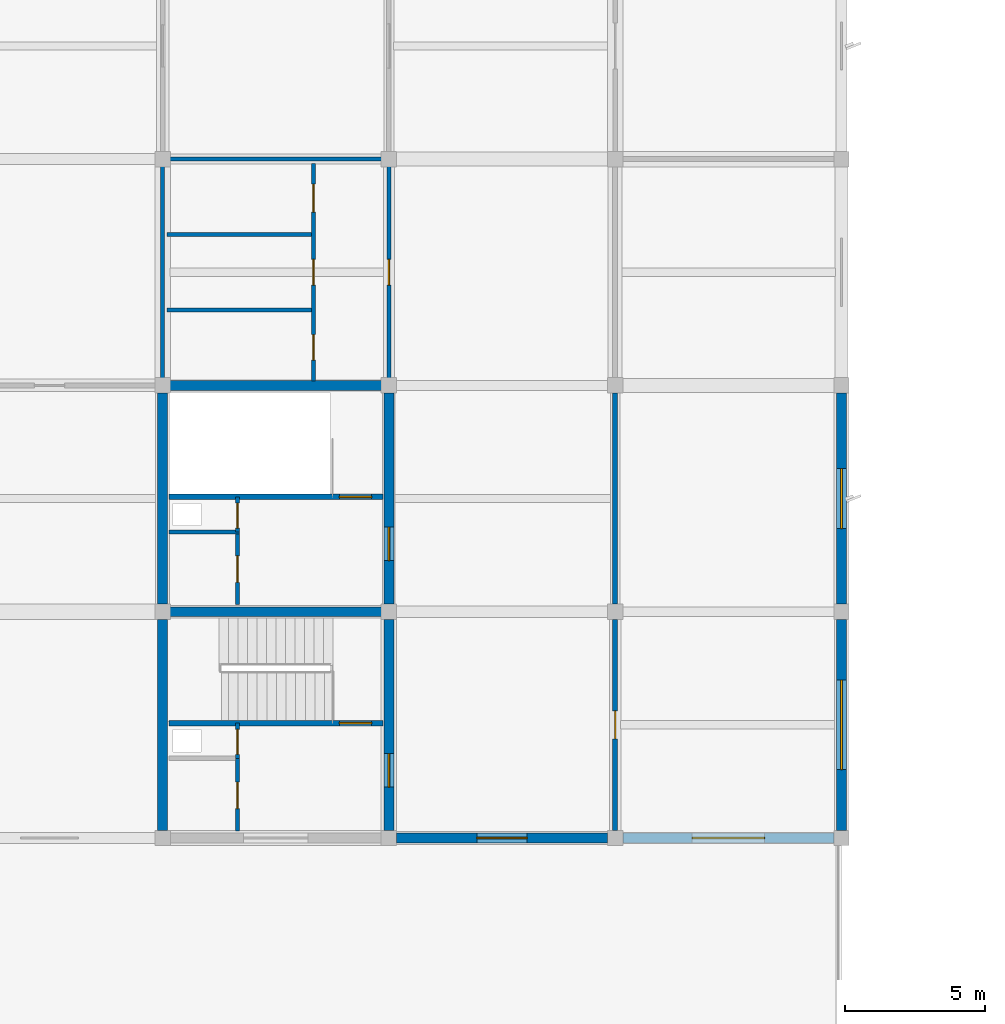
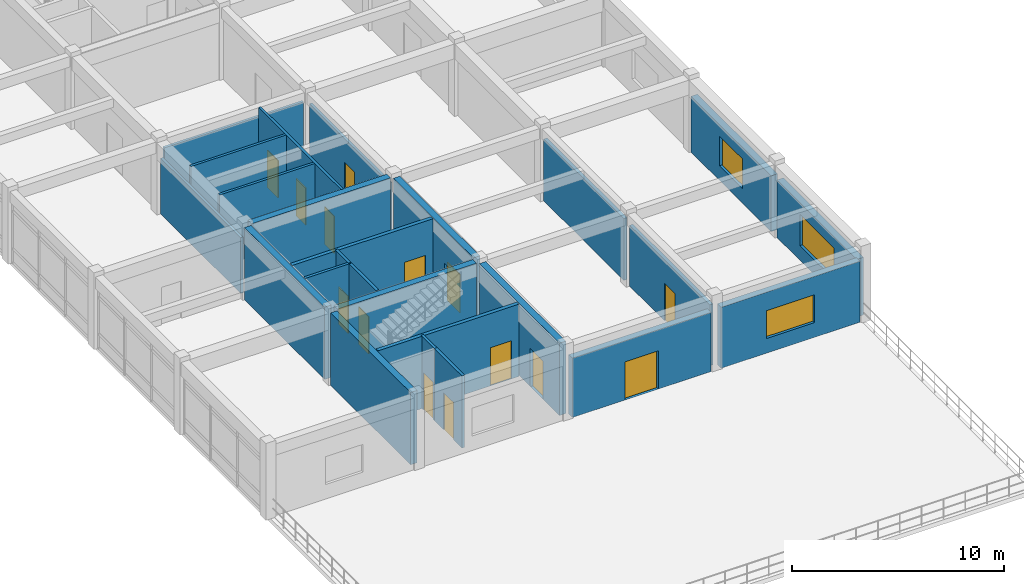
# One storey, part 27 of 33: 25 walls, 14 doors, 3 windows, 17 openings.
"""IFC4 building model written with IfcOpenShell, lengths in metres."""

from ifc_helpers import new_model, si_unit, direction, frame, frame_2d, origin, place, context, subcontext, project, spatial, rectangle, extrude, material, layer, layer_set, type_object, element, fill, save


model = new_model("IFC4")

# Units and contexts
model_context = context("Model", 3, precision=1e-05, world=origin(), true_north=direction((0.0, 1.0)))
body_context = subcontext(model_context, "Body", "Model", "MODEL_VIEW")
ifc_project = project(units=[si_unit("LENGTHUNIT", "METRE"), si_unit("AREAUNIT", "SQUARE_METRE"), si_unit("VOLUMEUNIT", "CUBIC_METRE"), si_unit("PLANEANGLEUNIT", "RADIAN"), si_unit("MASSUNIT", "GRAM", prefix="KILO")], contexts=[model_context])

# Site, building, storey
site_placement = place(None, origin())
site = spatial("IfcSite", under=ifc_project, at=site_placement, CompositionType="ELEMENT")
building_placement = place(site_placement, origin())
building = spatial("IfcBuilding", under=site, at=building_placement, Name="Vaudrelin Polytechnic", CompositionType="ELEMENT")
storey_placement = place(building_placement, frame((0.0, 0.0, 27.3701171875)))
storey = spatial("IfcBuildingStorey", under=building, at=storey_placement, Name="L06", CompositionType="ELEMENT", Elevation=27.3701171875)

# Wall, opening, window
ifc_material_1 = material(Name="Precast concrete 35 MPa with terracotta baguette screen", Category="masonry")
ifc_layer_1 = layer(ifc_material_1, 0.35009765625)
ifc_layer_set_1 = layer_set([ifc_layer_1], Name="Precast concrete 35 MPa with terracotta baguette screen")
wall_type_1 = type_object("IfcWallType", Name="WAL-EW-TERR350", PredefinedType="STANDARD", material=ifc_layer_set_1)
wall_1_placement = place(storey_placement, frame((170.10009765625, 32.673095703125, 0.0), z_axis=(0.0, 0.0, 1.0), x_axis=(0.0, 1.0, 0.0)))
wall_1 = element("IfcWall", 1, at=wall_1_placement, inside=storey, type_object=wall_type_1, Name="Exterior wall L06 E_V4_00", PredefinedType="STANDARD", context=body_context, shape_type="SweptSolid", body=[
    extrude(rectangle(XDim=7.553955078125, YDim=0.35009765625, at=frame_2d((3.77685546875, 0.0))), origin(), (0.0, 0.0, 1.0), 3.311767578125),
])
opening_1_placement = place(wall_1_placement, frame((2.177001953125, 0.0, 0.85009765625)))
opening_1 = element("IfcOpeningElement", 2, at=opening_1_placement, cuts=wall_1, Name="Opening W-L06-E-V4-01", PredefinedType="OPENING", context=body_context, shape_type="SweptSolid", body=[
    extrude(rectangle(XDim=3.199951171875, YDim=1.800048828125, at=frame_2d((1.60009765625, 0.89990234375))), frame((0.0, 0.18505859375, 0.0), z_axis=(0.0, -1.0, 0.0), x_axis=(1.0, 0.0, 0.0)), (0.0, 0.0, 1.0), 0.3701171875),
])
ifc_material_2 = material(Name="Thermally broken aluminium frame with triple low-e glazing", Category="aluminium")
window_type_1 = type_object("IfcWindowType", Name="WIN-WN-36", PartitioningType="SINGLE_PANEL", PredefinedType="WINDOW", material=ifc_material_2)
window_1_placement = place(opening_1_placement, origin())
window_1 = element("IfcWindow", 3, at=window_1_placement, inside=storey, type_object=window_type_1, Name="Facade window L06-E_V4_00", OverallHeight=1.800048828125, OverallWidth=3.199951171875, PartitioningType="SINGLE_PANEL", PredefinedType="WINDOW", context=body_context, shape_type="SweptSolid", body=[
    extrude(rectangle(XDim=3.199951171875, YDim=1.800048828125, at=frame_2d((1.60009765625, 0.89990234375))), frame((0.0, 0.030029296875, 0.0), z_axis=(0.0, -1.0, 0.0), x_axis=(1.0, 0.0, 0.0)), (0.0, 0.0, 1.0), 0.06005859375),
])
fill(opening_1, window_1)

wall_2_placement = place(storey_placement, frame((170.10009765625, 40.77294921875, 0.0), z_axis=(0.0, 0.0, 1.0), x_axis=(0.0, 1.0, 0.0)))
wall_2 = element("IfcWall", 4, at=wall_2_placement, inside=storey, type_object=wall_type_1, Name="Exterior wall L06 E_V4_01", PredefinedType="STANDARD", context=body_context, shape_type="SweptSolid", body=[
    extrude(rectangle(XDim=7.553955078125, YDim=0.35009765625, at=frame_2d((3.77685546875, 0.0))), origin(), (0.0, 0.0, 1.0), 3.2119140625),
])
opening_2_placement = place(wall_2_placement, frame((2.701904296875, 0.0, 0.85009765625)))
opening_2 = element("IfcOpeningElement", 5, at=opening_2_placement, cuts=wall_2, Name="Opening W-L06-E-V4-02", PredefinedType="OPENING", context=body_context, shape_type="SweptSolid", body=[
    extrude(rectangle(XDim=2.14990234375, YDim=1.699951171875, at=frame_2d((1.074951171875, 0.85009765625))), frame((0.0, 0.18505859375, 0.0), z_axis=(0.0, -1.0, 0.0), x_axis=(1.0, 0.0, 0.0)), (0.0, 0.0, 1.0), 0.3701171875),
])
window_type_2 = type_object("IfcWindowType", Name="WIN-WN-37", PartitioningType="SINGLE_PANEL", PredefinedType="WINDOW", material=ifc_material_2)
window_2_placement = place(opening_2_placement, origin())
window_2 = element("IfcWindow", 6, at=window_2_placement, inside=storey, type_object=window_type_2, Name="Facade window L06-E_V4_01", OverallHeight=1.699951171875, OverallWidth=2.14990234375, PartitioningType="SINGLE_PANEL", PredefinedType="WINDOW", context=body_context, shape_type="SweptSolid", body=[
    extrude(rectangle(XDim=2.14990234375, YDim=1.699951171875, at=frame_2d((1.074951171875, 0.85009765625))), frame((0.0, 0.030029296875, 0.0), z_axis=(0.0, -1.0, 0.0), x_axis=(1.0, 0.0, 0.0)), (0.0, 0.0, 1.0), 0.06005859375),
])
fill(opening_2, window_2)

# Wall, opening, door
wall_3_placement = place(storey_placement, frame((154.173095703125, 32.39990234375, 0.0), z_axis=(0.0, 0.0, 1.0), x_axis=(1.0, 0.0, 0.0)))
wall_3 = element("IfcWall", 7, at=wall_3_placement, inside=storey, type_object=wall_type_1, Name="Exterior wall L06 S_V4_02", PredefinedType="STANDARD", context=body_context, shape_type="SweptSolid", body=[
    extrude(rectangle(XDim=7.553955078125, YDim=0.35009765625, at=frame_2d((3.77685546875, 0.0))), origin(), (0.0, 0.0, 1.0), 3.411865234375),
])
opening_3_placement = place(wall_3_placement, frame((4.677001953125, 0.0, 0.0), z_axis=(0.0, 0.0, 1.0), x_axis=(-1.0, 0.0, 0.0)))
opening_3 = element("IfcOpeningElement", 8, at=opening_3_placement, cuts=wall_3, Name="Opening TD-06-01", PredefinedType="OPENING", context=body_context, shape_type="SweptSolid", body=[
    extrude(rectangle(XDim=1.800048828125, YDim=2.199951171875, at=frame_2d((0.89990234375, 1.10009765625))), frame((0.0, 0.18505859375, 0.0), z_axis=(0.0, -1.0, 0.0), x_axis=(1.0, 0.0, 0.0)), (0.0, 0.0, 1.0), 0.3701171875),
])
ifc_material_3 = material(Name="Thermally broken anodised aluminium AA 6063-T6", Category="aluminium")
door_type_1 = type_object("IfcDoorType", Name="DOR-ED-03", OperationType="DOUBLE_SWING_LEFT", PredefinedType="DOOR", material=ifc_material_3)
door_1_placement = place(opening_3_placement, origin())
door_1 = element("IfcDoor", 9, at=door_1_placement, inside=storey, type_object=door_type_1, Name="Exterior exit door TD-06-01", OperationType="DOUBLE_SWING_LEFT", OverallHeight=2.199951171875, OverallWidth=1.800048828125, PredefinedType="DOOR", context=body_context, shape_type="SweptSolid", body=[
    extrude(rectangle(XDim=1.800048828125, YDim=2.199951171875, at=frame_2d((0.89990234375, 1.10009765625))), frame((0.0, 0.02490234375, 0.0), z_axis=(0.0, -1.0, 0.0), x_axis=(1.0, 0.0, 0.0)), (0.0, 0.0, 1.0), 0.050048828125),
])
fill(opening_3, door_1)

# Wall, opening, window
wall_4_placement = place(storey_placement, frame((162.27294921875, 32.39990234375, 0.0), z_axis=(0.0, 0.0, 1.0), x_axis=(1.0, 0.0, 0.0)))
wall_4 = element("IfcWall", 10, at=wall_4_placement, inside=storey, type_object=wall_type_1, Name="Exterior wall L06 S_V4_03", PredefinedType="STANDARD", context=body_context, shape_type="SweptSolid", body=[
    extrude(rectangle(XDim=7.553955078125, YDim=0.35009765625, at=frame_2d((3.77685546875, 0.0))), origin(), (0.0, 0.0, 1.0), 3.511962890625),
])
opening_4_placement = place(wall_4_placement, frame((2.47705078125, 0.0, 0.85009765625)))
opening_4 = element("IfcOpeningElement", 11, at=opening_4_placement, cuts=wall_4, Name="Opening W-L06-S-V4-04", PredefinedType="OPENING", context=body_context, shape_type="SweptSolid", body=[
    extrude(rectangle(XDim=2.60009765625, YDim=1.60009765625, at=frame_2d((1.300048828125, 0.800048828125))), frame((0.0, 0.18505859375, 0.0), z_axis=(0.0, -1.0, 0.0), x_axis=(1.0, 0.0, 0.0)), (0.0, 0.0, 1.0), 0.3701171875),
])
window_type_3 = type_object("IfcWindowType", Name="WIN-WN-45", PartitioningType="SINGLE_PANEL", PredefinedType="WINDOW", material=ifc_material_2)
window_3_placement = place(opening_4_placement, origin())
window_3 = element("IfcWindow", 12, at=window_3_placement, inside=storey, type_object=window_type_3, Name="Facade window L06-S_V4_03", OverallHeight=1.60009765625, OverallWidth=2.60009765625, PartitioningType="SINGLE_PANEL", PredefinedType="WINDOW", context=body_context, shape_type="SweptSolid", body=[
    extrude(rectangle(XDim=2.60009765625, YDim=1.60009765625, at=frame_2d((1.300048828125, 0.800048828125))), frame((0.0, 0.030029296875, 0.0), z_axis=(0.0, -1.0, 0.0), x_axis=(1.0, 0.0, 0.0)), (0.0, 0.0, 1.0), 0.06005859375),
])
fill(opening_4, window_3)

# Wall, opening, door
ifc_material_4 = material(Name="Acoustic double-stud gypsum & mineral-wool partition", Category="gypsum")
ifc_layer_2 = layer(ifc_material_4, 0.179931640625)
ifc_layer_set_2 = layer_set([ifc_layer_2], Name="Acoustic double-stud gypsum & mineral-wool partition")
wall_type_2 = type_object("IfcWallType", Name="WAL-PW-AC180", PredefinedType="PARTITIONING", material=ifc_layer_set_2)
wall_5_placement = place(storey_placement, frame((162.0, 32.673095703125, 0.0), z_axis=(0.0, 0.0, 1.0), x_axis=(0.0, 1.0, 0.0)))
wall_5 = element("IfcWall", 13, at=wall_5_placement, inside=storey, type_object=wall_type_2, Name="Partition L06-007 W", PredefinedType="PARTITIONING", context=body_context, shape_type="SweptSolid", body=[
    extrude(rectangle(XDim=7.553955078125, YDim=0.179931640625, at=frame_2d((3.77685546875, 0.0))), origin(), (0.0, 0.0, 1.0), 3.511962890625),
])
opening_5_placement = place(wall_5_placement, frame((3.277099609375, 0.0, 0.0)))
opening_5 = element("IfcOpeningElement", 14, at=opening_5_placement, cuts=wall_5, Name="Opening D-L06-565", PredefinedType="OPENING", context=body_context, shape_type="SweptSolid", body=[
    extrude(rectangle(XDim=1.0, YDim=2.14990234375, at=frame_2d((0.5, 1.074951171875))), frame((0.0, 0.10009765625, 0.0), z_axis=(0.0, -1.0, 0.0), x_axis=(1.0, 0.0, 0.0)), (0.0, 0.0, 1.0), 0.199951171875),
])
ifc_material_5 = material(Name="Solid-core birch veneer acoustic leaf", Category="wood")
door_type_2 = type_object("IfcDoorType", Name="DOR-ID-SEM1", OperationType="NOTDEFINED", PredefinedType="DOOR", material=ifc_material_5)
door_2_placement = place(opening_5_placement, origin())
door_2 = element("IfcDoor", 15, at=door_2_placement, inside=storey, type_object=door_type_2, Name="Seminar Room 601 door L06-007", OperationType="SINGLE_SWING_RIGHT", OverallHeight=2.14990234375, OverallWidth=1.0, PredefinedType="DOOR", context=body_context, shape_type="SweptSolid", body=[
    extrude(rectangle(XDim=1.0, YDim=2.14990234375, at=frame_2d((0.5, 1.074951171875))), frame((0.0, 0.02490234375, 0.0), z_axis=(0.0, -1.0, 0.0), x_axis=(1.0, 0.0, 0.0)), (0.0, 0.0, 1.0), 0.050048828125),
])
fill(opening_5, door_2)

# Wall
wall_6_placement = place(storey_placement, frame((162.0, 40.77294921875, 0.0), z_axis=(0.0, 0.0, 1.0), x_axis=(0.0, 1.0, 0.0)))
element("IfcWall", 16, at=wall_6_placement, inside=storey, type_object=wall_type_2, Name="Partition L06-007 W", PredefinedType="PARTITIONING", context=body_context, shape_type="SweptSolid", body=[
    extrude(rectangle(XDim=7.553955078125, YDim=0.179931640625, at=frame_2d((3.77685546875, 0.0))), origin(), (0.0, 0.0, 1.0), 3.561767578125),
])

# Wall, opening, door
ifc_material_6 = material(Name="Fire-rated steel-stud gypsum compartment wall", Category="steel")
ifc_layer_3 = layer(ifc_material_6, 0.14990234375)
ifc_layer_set_3 = layer_set([ifc_layer_3], Name="Fire-rated steel-stud gypsum compartment wall")
wall_type_3 = type_object("IfcWallType", Name="WAL-PW-FIRE60", PredefinedType="PARTITIONING", material=ifc_layer_set_3)
wall_7_placement = place(storey_placement, frame((148.47998046875, 35.25, 0.0), z_axis=(0.0, 0.0, 1.0), x_axis=(0.0, 1.0, 0.0)))
wall_7 = element("IfcWall", 17, at=wall_7_placement, inside=storey, type_object=wall_type_3, Name="Core C8 riser enclosure wall L06", PredefinedType="PARTITIONING", context=body_context, shape_type="SweptSolid", body=[
    extrude(rectangle(XDim=1.260009765625, YDim=0.14990234375, at=frame_2d((0.6298828125, 0.0))), origin(), (0.0, 0.0, 1.0), 4.161865234375),
])
opening_6_placement = place(wall_7_placement, frame((0.139892578125, 0.0, 0.0)))
opening_6 = element("IfcOpeningElement", 18, at=opening_6_placement, cuts=wall_7, Name="Opening D-L06-168", PredefinedType="OPENING", context=body_context, shape_type="SweptSolid", body=[
    extrude(rectangle(XDim=0.89990234375, YDim=2.14990234375, at=frame_2d((0.449951171875, 1.074951171875))), frame((0.0, 0.0849609375, 0.0), z_axis=(0.0, -1.0, 0.0), x_axis=(1.0, 0.0, 0.0)), (0.0, 0.0, 1.0), 0.169921875),
])
ifc_material_7 = material(Name="Pressed galvanised steel acoustic leaf", Category="steel")
door_type_3 = type_object("IfcDoorType", Name="DOR-ID-RSR1", OperationType="NOTDEFINED", PredefinedType="DOOR", material=ifc_material_7)
door_3_placement = place(opening_6_placement, origin())
door_3 = element("IfcDoor", 19, at=door_3_placement, inside=storey, type_object=door_type_3, Name="Core C8 riser access door L06", OperationType="SINGLE_SWING_RIGHT", OverallHeight=2.14990234375, OverallWidth=0.89990234375, PredefinedType="DOOR", context=body_context, shape_type="SweptSolid", body=[
    extrude(rectangle(XDim=0.89990234375, YDim=2.14990234375, at=frame_2d((0.449951171875, 1.074951171875))), frame((0.0, 0.02490234375, 0.0), z_axis=(0.0, -1.0, 0.0), x_axis=(1.0, 0.0, 0.0)), (0.0, 0.0, 1.0), 0.050048828125),
])
fill(opening_6, door_3)

wall_8_placement = place(storey_placement, frame((148.47998046875, 32.64990234375, 0.0), z_axis=(0.0, 0.0, 1.0), x_axis=(0.0, 1.0, 0.0)))
wall_8 = element("IfcWall", 20, at=wall_8_placement, inside=storey, type_object=wall_type_3, Name="Core C8 custodial enclosure wall L06", PredefinedType="PARTITIONING", context=body_context, shape_type="SweptSolid", body=[
    extrude(rectangle(XDim=2.60009765625, YDim=0.14990234375, at=frame_2d((1.300048828125, 0.0))), origin(), (0.0, 0.0, 1.0), 4.161865234375),
])
opening_7_placement = place(wall_8_placement, frame((0.800048828125, 0.0, 0.0)))
opening_7 = element("IfcOpeningElement", 21, at=opening_7_placement, cuts=wall_8, Name="Opening D-L06-169", PredefinedType="OPENING", context=body_context, shape_type="SweptSolid", body=[
    extrude(rectangle(XDim=0.949951171875, YDim=2.14990234375, at=frame_2d((0.47509765625, 1.074951171875))), frame((0.0, 0.0849609375, 0.0), z_axis=(0.0, -1.0, 0.0), x_axis=(1.0, 0.0, 0.0)), (0.0, 0.0, 1.0), 0.169921875),
])
door_type_4 = type_object("IfcDoorType", Name="DOR-ID-STR1", OperationType="NOTDEFINED", PredefinedType="DOOR", material=ifc_material_7)
door_4_placement = place(opening_7_placement, origin())
door_4 = element("IfcDoor", 22, at=door_4_placement, inside=storey, type_object=door_type_4, Name="Core C8 custodial door L06", OperationType="SINGLE_SWING_RIGHT", OverallHeight=2.14990234375, OverallWidth=0.949951171875, PredefinedType="DOOR", context=body_context, shape_type="SweptSolid", body=[
    extrude(rectangle(XDim=0.949951171875, YDim=2.14990234375, at=frame_2d((0.47509765625, 1.074951171875))), frame((0.0, 0.02490234375, 0.0), z_axis=(0.0, -1.0, 0.0), x_axis=(1.0, 0.0, 0.0)), (0.0, 0.0, 1.0), 0.050048828125),
])
fill(opening_7, door_4)

wall_9_placement = place(storey_placement, frame((148.47998046875, 43.35009765625, 0.0), z_axis=(0.0, 0.0, 1.0), x_axis=(0.0, 1.0, 0.0)))
wall_9 = element("IfcWall", 23, at=wall_9_placement, inside=storey, type_object=wall_type_3, Name="Core C12 riser enclosure wall L06", PredefinedType="PARTITIONING", context=body_context, shape_type="SweptSolid", body=[
    extrude(rectangle(XDim=1.260009765625, YDim=0.14990234375, at=frame_2d((0.6298828125, 0.0))), origin(), (0.0, 0.0, 1.0), 4.161865234375),
])
opening_8_placement = place(wall_9_placement, frame((0.139892578125, 0.0, 0.0)))
opening_8 = element("IfcOpeningElement", 24, at=opening_8_placement, cuts=wall_9, Name="Opening D-L06-291", PredefinedType="OPENING", context=body_context, shape_type="SweptSolid", body=[
    extrude(rectangle(XDim=0.89990234375, YDim=2.14990234375, at=frame_2d((0.449951171875, 1.074951171875))), frame((0.0, 0.0849609375, 0.0), z_axis=(0.0, -1.0, 0.0), x_axis=(1.0, 0.0, 0.0)), (0.0, 0.0, 1.0), 0.169921875),
])
door_5_placement = place(opening_8_placement, origin())
door_5 = element("IfcDoor", 25, at=door_5_placement, inside=storey, type_object=door_type_3, Name="Core C12 riser access door L06", OperationType="SINGLE_SWING_RIGHT", OverallHeight=2.14990234375, OverallWidth=0.89990234375, PredefinedType="DOOR", context=body_context, shape_type="SweptSolid", body=[
    extrude(rectangle(XDim=0.89990234375, YDim=2.14990234375, at=frame_2d((0.449951171875, 1.074951171875))), frame((0.0, 0.02490234375, 0.0), z_axis=(0.0, -1.0, 0.0), x_axis=(1.0, 0.0, 0.0)), (0.0, 0.0, 1.0), 0.050048828125),
])
fill(opening_8, door_5)

# Wall
wall_10_placement = place(storey_placement, frame((146.02001953125, 43.35009765625, 0.0), z_axis=(0.0, 0.0, 1.0), x_axis=(1.0, 0.0, 0.0)))
element("IfcWall", 26, at=wall_10_placement, inside=storey, type_object=wall_type_3, Name="Core C12 riser south fire wall L06", PredefinedType="PARTITIONING", context=body_context, shape_type="SweptSolid", body=[
    extrude(rectangle(XDim=2.530029296875, YDim=0.14990234375, at=frame_2d((1.26513671875, 0.0))), origin(), (0.0, 0.0, 1.0), 4.161865234375),
])

# Wall, opening, door
wall_11_placement = place(storey_placement, frame((148.47998046875, 40.75, 0.0), z_axis=(0.0, 0.0, 1.0), x_axis=(0.0, 1.0, 0.0)))
wall_11 = element("IfcWall", 27, at=wall_11_placement, inside=storey, type_object=wall_type_3, Name="Core C12 custodial enclosure wall L06", PredefinedType="PARTITIONING", context=body_context, shape_type="SweptSolid", body=[
    extrude(rectangle(XDim=2.60009765625, YDim=0.14990234375, at=frame_2d((1.300048828125, 0.0))), origin(), (0.0, 0.0, 1.0), 4.161865234375),
])
opening_9_placement = place(wall_11_placement, frame((0.800048828125, 0.0, 0.0)))
opening_9 = element("IfcOpeningElement", 28, at=opening_9_placement, cuts=wall_11, Name="Opening D-L06-292", PredefinedType="OPENING", context=body_context, shape_type="SweptSolid", body=[
    extrude(rectangle(XDim=0.949951171875, YDim=2.14990234375, at=frame_2d((0.47509765625, 1.074951171875))), frame((0.0, 0.0849609375, 0.0), z_axis=(0.0, -1.0, 0.0), x_axis=(1.0, 0.0, 0.0)), (0.0, 0.0, 1.0), 0.169921875),
])
door_6_placement = place(opening_9_placement, origin())
door_6 = element("IfcDoor", 29, at=door_6_placement, inside=storey, type_object=door_type_4, Name="Core C12 custodial door L06", OperationType="SINGLE_SWING_RIGHT", OverallHeight=2.14990234375, OverallWidth=0.949951171875, PredefinedType="DOOR", context=body_context, shape_type="SweptSolid", body=[
    extrude(rectangle(XDim=0.949951171875, YDim=2.14990234375, at=frame_2d((0.47509765625, 1.074951171875))), frame((0.0, 0.02490234375, 0.0), z_axis=(0.0, -1.0, 0.0), x_axis=(1.0, 0.0, 0.0)), (0.0, 0.0, 1.0), 0.050048828125),
])
fill(opening_9, door_6)

# Walls
ifc_material_8 = material(Name="Cement-board tiled wet-wall washroom partition", Category="gypsum")
ifc_layer_4 = layer(ifc_material_8, 0.139892578125)
ifc_layer_set_4 = layer_set([ifc_layer_4], Name="Cement-board tiled wet-wall washroom partition")
wall_type_4 = type_object("IfcWallType", Name="WAL-PW-WC140", PredefinedType="PARTITIONING", material=ifc_layer_set_4)
wall_12_placement = place(storey_placement, frame((146.072998046875, 56.699951171875, 0.0), z_axis=(0.0, 0.0, 1.0), x_axis=(1.0, 0.0, 0.0)))
element("IfcWall", 30, at=wall_12_placement, inside=storey, type_object=wall_type_4, Name="Washroom enclosure wall L06-18-6-N", PredefinedType="PARTITIONING", context=body_context, shape_type="SweptSolid", body=[
    extrude(rectangle(XDim=7.553955078125, YDim=0.139892578125, at=frame_2d((3.77685546875, 0.0))), origin(), (0.0, 0.0, 1.0), 3.559814453125),
])
wall_13_placement = place(storey_placement, frame((145.800048828125, 48.873046875, 0.0), z_axis=(0.0, 0.0, 1.0), x_axis=(0.0, 1.0, 0.0)))
element("IfcWall", 31, at=wall_13_placement, inside=storey, type_object=wall_type_4, Name="Washroom enclosure wall L06-18-6-W", PredefinedType="PARTITIONING", context=body_context, shape_type="SweptSolid", body=[
    extrude(rectangle(XDim=7.553955078125, YDim=0.139892578125, at=frame_2d((3.77685546875, 0.0))), origin(), (0.0, 0.0, 1.0), 3.2099609375),
])

# Wall, opening, door
wall_14_placement = place(storey_placement, frame((153.89990234375, 48.873046875, 0.0), z_axis=(0.0, 0.0, 1.0), x_axis=(0.0, 1.0, 0.0)))
wall_14 = element("IfcWall", 32, at=wall_14_placement, inside=storey, type_object=wall_type_4, Name="Washroom enclosure wall L06-18-6-E", PredefinedType="PARTITIONING", context=body_context, shape_type="SweptSolid", body=[
    extrude(rectangle(XDim=7.553955078125, YDim=0.139892578125, at=frame_2d((3.77685546875, 0.0))), origin(), (0.0, 0.0, 1.0), 3.509765625),
])
opening_10_placement = place(wall_14_placement, frame((3.31689453125, 0.0, 0.0)))
opening_10 = element("IfcOpeningElement", 33, at=opening_10_placement, cuts=wall_14, Name="Opening D-L06-385", PredefinedType="OPENING", context=body_context, shape_type="SweptSolid", body=[
    extrude(rectangle(XDim=0.919921875, YDim=2.14990234375, at=frame_2d((0.4599609375, 1.074951171875))), frame((0.0, 0.080078125, 0.0), z_axis=(0.0, -1.0, 0.0), x_axis=(1.0, 0.0, 0.0)), (0.0, 0.0, 1.0), 0.159912109375),
])
door_type_5 = type_object("IfcDoorType", Name="DOR-ID-WC1", OperationType="NOTDEFINED", PredefinedType="DOOR", material=ifc_material_5)
door_7_placement = place(opening_10_placement, origin())
door_7 = element("IfcDoor", 34, at=door_7_placement, inside=storey, type_object=door_type_5, Name="Washroom vestibule door L06-18-6-E", OperationType="SINGLE_SWING_LEFT", OverallHeight=2.14990234375, OverallWidth=0.919921875, PredefinedType="DOOR", context=body_context, shape_type="SweptSolid", body=[
    extrude(rectangle(XDim=0.919921875, YDim=2.14990234375, at=frame_2d((0.4599609375, 1.074951171875))), frame((0.0, 0.02490234375, 0.0), z_axis=(0.0, -1.0, 0.0), x_axis=(1.0, 0.0, 0.0)), (0.0, 0.0, 1.0), 0.050048828125),
])
fill(opening_10, door_7)

# Wall, openings, doors
wall_15_placement = place(storey_placement, frame((151.199951171875, 48.75, 0.0), z_axis=(0.0, 0.0, 1.0), x_axis=(0.0, 1.0, 0.0)))
wall_15 = element("IfcWall", 35, at=wall_15_placement, inside=storey, type_object=wall_type_4, Name="Washroom vestibule divider L06-18-6", PredefinedType="PARTITIONING", context=body_context, shape_type="SweptSolid", body=[
    extrude(rectangle(XDim=7.800048828125, YDim=0.139892578125, at=frame_2d((3.89990234375, 0.0))), origin(), (0.0, 0.0, 1.0), 4.161865234375),
])
opening_11_placement = place(wall_15_placement, frame((0.75, 0.0, 0.0)))
opening_11 = element("IfcOpeningElement", 36, at=opening_11_placement, cuts=wall_15, Name="Opening D-L06-386", PredefinedType="OPENING", context=body_context, shape_type="SweptSolid", body=[
    extrude(rectangle(XDim=0.919921875, YDim=2.14990234375, at=frame_2d((0.4599609375, 1.074951171875))), frame((0.0, 0.080078125, 0.0), z_axis=(0.0, -1.0, 0.0), x_axis=(1.0, 0.0, 0.0)), (0.0, 0.0, 1.0), 0.159912109375),
])
opening_12_placement = place(wall_15_placement, frame((3.43994140625, 0.0, 0.0)))
opening_12 = element("IfcOpeningElement", 37, at=opening_12_placement, cuts=wall_15, Name="Opening D-L06-387", PredefinedType="OPENING", context=body_context, shape_type="SweptSolid", body=[
    extrude(rectangle(XDim=0.919921875, YDim=2.14990234375, at=frame_2d((0.4599609375, 1.074951171875))), frame((0.0, 0.080078125, 0.0), z_axis=(0.0, -1.0, 0.0), x_axis=(1.0, 0.0, 0.0)), (0.0, 0.0, 1.0), 0.159912109375),
])
opening_13_placement = place(wall_15_placement, frame((6.050048828125, 0.0, 0.0)))
opening_13 = element("IfcOpeningElement", 38, at=opening_13_placement, cuts=wall_15, Name="Opening D-L06-388", PredefinedType="OPENING", context=body_context, shape_type="SweptSolid", body=[
    extrude(rectangle(XDim=1.0, YDim=2.14990234375, at=frame_2d((0.5, 1.074951171875))), frame((0.0, 0.080078125, 0.0), z_axis=(0.0, -1.0, 0.0), x_axis=(1.0, 0.0, 0.0)), (0.0, 0.0, 1.0), 0.159912109375),
])
door_type_6 = type_object("IfcDoorType", Name="DOR-ID-AWC1", OperationType="NOTDEFINED", PredefinedType="DOOR", material=ifc_material_5)
door_8_placement = place(opening_13_placement, origin())
door_8 = element("IfcDoor", 39, at=door_8_placement, inside=storey, type_object=door_type_6, Name="Washroom stall-room door L06-18-6-3", OperationType="SINGLE_SWING_LEFT", OverallHeight=2.14990234375, OverallWidth=1.0, PredefinedType="DOOR", context=body_context, shape_type="SweptSolid", body=[
    extrude(rectangle(XDim=1.0, YDim=2.14990234375, at=frame_2d((0.5, 1.074951171875))), frame((0.0, 0.02490234375, 0.0), z_axis=(0.0, -1.0, 0.0), x_axis=(1.0, 0.0, 0.0)), (0.0, 0.0, 1.0), 0.050048828125),
])
fill(opening_13, door_8)
door_9_placement = place(opening_11_placement, origin())
door_9 = element("IfcDoor", 40, at=door_9_placement, inside=storey, type_object=door_type_5, Name="Washroom stall-room door L06-18-6-1", OperationType="SINGLE_SWING_LEFT", OverallHeight=2.14990234375, OverallWidth=0.919921875, PredefinedType="DOOR", context=body_context, shape_type="SweptSolid", body=[
    extrude(rectangle(XDim=0.919921875, YDim=2.14990234375, at=frame_2d((0.4599609375, 1.074951171875))), frame((0.0, 0.02490234375, 0.0), z_axis=(0.0, -1.0, 0.0), x_axis=(1.0, 0.0, 0.0)), (0.0, 0.0, 1.0), 0.050048828125),
])
fill(opening_11, door_9)
door_10_placement = place(opening_12_placement, origin())
door_10 = element("IfcDoor", 41, at=door_10_placement, inside=storey, type_object=door_type_5, Name="Washroom stall-room door L06-18-6-2", OperationType="SINGLE_SWING_RIGHT", OverallHeight=2.14990234375, OverallWidth=0.919921875, PredefinedType="DOOR", context=body_context, shape_type="SweptSolid", body=[
    extrude(rectangle(XDim=0.919921875, YDim=2.14990234375, at=frame_2d((0.4599609375, 1.074951171875))), frame((0.0, 0.02490234375, 0.0), z_axis=(0.0, -1.0, 0.0), x_axis=(1.0, 0.0, 0.0)), (0.0, 0.0, 1.0), 0.050048828125),
])
fill(opening_12, door_10)

# Walls
for number, where, z_axis, x_axis, name in (
    (42, (145.949951171875, 51.300048828125, 0.0), (0.0, 0.0, 1.0), (1.0, 0.0, 0.0), "Washroom separation wall L06-18-6-1"),
    (43, (145.949951171875, 54.0, 0.0), (0.0, 0.0, 1.0), (1.0, 0.0, 0.0), "Washroom separation wall L06-18-6-2"),
):
    element("IfcWall", number, at=place(storey_placement, frame(where, z_axis=z_axis, x_axis=x_axis)), inside=storey, type_object=wall_type_4, Name=name, PredefinedType="PARTITIONING", context=body_context, shape_type="SweptSolid", body=[
        extrude(rectangle(XDim=5.179931640625, YDim=0.139892578125, at=frame_2d((2.58984375, 0.0))), origin(), (0.0, 0.0, 1.0), 4.161865234375),
    ])

# Wall, opening, door
ifc_material_9 = material(Name="Concrete 40 MPa", Category="concrete")
ifc_layer_5 = layer(ifc_material_9, 0.199951171875)
ifc_layer_set_5 = layer_set([ifc_layer_5], Name="Concrete 40 MPa")
wall_type_5 = type_object("IfcWallType", Name="WAL-SW-CORE200", PredefinedType="SHEAR", material=ifc_layer_set_5)
wall_16_placement = place(storey_placement, frame((146.02001953125, 36.510009765625, 0.0), z_axis=(0.0, 0.0, 1.0), x_axis=(1.0, 0.0, 0.0)))
wall_16 = element("IfcWall", 44, at=wall_16_placement, inside=storey, type_object=wall_type_5, Name="Core C8 stair enclosure wall L06", PredefinedType="SHEAR", context=body_context, shape_type="SweptSolid", body=[
    extrude(rectangle(XDim=7.659912109375, YDim=0.199951171875, at=frame_2d((3.830078125, 0.0))), origin(), (0.0, 0.0, 1.0), 4.161865234375),
])
opening_14_placement = place(wall_16_placement, frame((6.110107421875, 0.0, 0.0)))
opening_14 = element("IfcOpeningElement", 45, at=opening_14_placement, cuts=wall_16, Name="Opening D-L06-167", PredefinedType="OPENING", context=body_context, shape_type="SweptSolid", body=[
    extrude(rectangle(XDim=1.14990234375, YDim=2.199951171875, at=frame_2d((0.574951171875, 1.10009765625))), frame((0.0, 0.10986328125, 0.0), z_axis=(0.0, -1.0, 0.0), x_axis=(1.0, 0.0, 0.0)), (0.0, 0.0, 1.0), 0.219970703125),
])
door_type_7 = type_object("IfcDoorType", Name="DOR-ID-ST1", OperationType="NOTDEFINED", PredefinedType="DOOR", material=ifc_material_7)
door_11_placement = place(opening_14_placement, origin())
door_11 = element("IfcDoor", 46, at=door_11_placement, inside=storey, type_object=door_type_7, Name="Core C8 exit stair door L06", OperationType="SINGLE_SWING_LEFT", OverallHeight=2.199951171875, OverallWidth=1.14990234375, PredefinedType="DOOR", context=body_context, shape_type="SweptSolid", body=[
    extrude(rectangle(XDim=1.14990234375, YDim=2.199951171875, at=frame_2d((0.574951171875, 1.10009765625))), frame((0.0, 0.02490234375, 0.0), z_axis=(0.0, -1.0, 0.0), x_axis=(1.0, 0.0, 0.0)), (0.0, 0.0, 1.0), 0.050048828125),
])
fill(opening_14, door_11)

wall_17_placement = place(storey_placement, frame((146.02001953125, 44.610107421875, 0.0), z_axis=(0.0, 0.0, 1.0), x_axis=(1.0, 0.0, 0.0)))
wall_17 = element("IfcWall", 47, at=wall_17_placement, inside=storey, type_object=wall_type_5, Name="Core C12 stair enclosure wall L06", PredefinedType="SHEAR", context=body_context, shape_type="SweptSolid", body=[
    extrude(rectangle(XDim=7.659912109375, YDim=0.199951171875, at=frame_2d((3.830078125, 0.0))), origin(), (0.0, 0.0, 1.0), 4.161865234375),
])
opening_15_placement = place(wall_17_placement, frame((6.110107421875, 0.0, 0.0)))
opening_15 = element("IfcOpeningElement", 48, at=opening_15_placement, cuts=wall_17, Name="Opening D-L06-290", PredefinedType="OPENING", context=body_context, shape_type="SweptSolid", body=[
    extrude(rectangle(XDim=1.14990234375, YDim=2.199951171875, at=frame_2d((0.574951171875, 1.10009765625))), frame((0.0, 0.10986328125, 0.0), z_axis=(0.0, -1.0, 0.0), x_axis=(1.0, 0.0, 0.0)), (0.0, 0.0, 1.0), 0.219970703125),
])
door_12_placement = place(opening_15_placement, origin())
door_12 = element("IfcDoor", 49, at=door_12_placement, inside=storey, type_object=door_type_7, Name="Core C12 exit stair door L06", OperationType="SINGLE_SWING_LEFT", OverallHeight=2.199951171875, OverallWidth=1.14990234375, PredefinedType="DOOR", context=body_context, shape_type="SweptSolid", body=[
    extrude(rectangle(XDim=1.14990234375, YDim=2.199951171875, at=frame_2d((0.574951171875, 1.10009765625))), frame((0.0, 0.02490234375, 0.0), z_axis=(0.0, -1.0, 0.0), x_axis=(1.0, 0.0, 0.0)), (0.0, 0.0, 1.0), 0.050048828125),
])
fill(opening_15, door_12)

# Walls
ifc_material_10 = material(Name="Concrete 50 MPa", Category="concrete")
ifc_layer_6 = layer(ifc_material_10, 0.35009765625)
ifc_layer_set_6 = layer_set([ifc_layer_6], Name="Concrete 50 MPa")
wall_type_6 = type_object("IfcWallType", Name="WAL-SW-CORE350", PredefinedType="SHEAR", material=ifc_layer_set_6)
for number, where, z_axis, x_axis, name in (
    (50, (146.072998046875, 40.5, 0.0), (0.0, 0.0, 1.0), (1.0, 0.0, 0.0), "Core C8 N shear wall L06"),
    (51, (145.800048828125, 32.673095703125, 0.0), (0.0, 0.0, 1.0), (0.0, 1.0, 0.0), "Core C8 W shear wall L06"),
):
    element("IfcWall", number, at=place(storey_placement, frame(where, z_axis=z_axis, x_axis=x_axis)), inside=storey, type_object=wall_type_6, Name=name, PredefinedType="SHEAR", context=body_context, shape_type="SweptSolid", body=[
        extrude(rectangle(XDim=7.553955078125, YDim=0.35009765625, at=frame_2d((3.77685546875, 0.0))), origin(), (0.0, 0.0, 1.0), 4.161865234375),
    ])

# Wall, opening, door
wall_18_placement = place(storey_placement, frame((153.89990234375, 32.673095703125, 0.0), z_axis=(0.0, 0.0, 1.0), x_axis=(0.0, 1.0, 0.0)))
wall_18 = element("IfcWall", 52, at=wall_18_placement, inside=storey, type_object=wall_type_6, Name="Core C8 E shear wall L06", PredefinedType="SHEAR", context=body_context, shape_type="SweptSolid", body=[
    extrude(rectangle(XDim=7.553955078125, YDim=0.35009765625, at=frame_2d((3.77685546875, 0.0))), origin(), (0.0, 0.0, 1.0), 4.161865234375),
])
opening_16_placement = place(wall_18_placement, frame((1.550048828125, 0.0, 0.0)))
opening_16 = element("IfcOpeningElement", 53, at=opening_16_placement, cuts=wall_18, Name="Opening D-L06-166", PredefinedType="OPENING", context=body_context, shape_type="SweptSolid", body=[
    extrude(rectangle(XDim=1.199951171875, YDim=2.199951171875, at=frame_2d((0.60009765625, 1.10009765625))), frame((0.0, 0.18505859375, 0.0), z_axis=(0.0, -1.0, 0.0), x_axis=(1.0, 0.0, 0.0)), (0.0, 0.0, 1.0), 0.3701171875),
])
door_type_8 = type_object("IfcDoorType", Name="DOR-ID-LB1", OperationType="NOTDEFINED", PredefinedType="DOOR", material=ifc_material_7)
door_13_placement = place(opening_16_placement, origin())
door_13 = element("IfcDoor", 54, at=door_13_placement, inside=storey, type_object=door_type_8, Name="Core C8 lobby fire door L06", OperationType="SINGLE_SWING_RIGHT", OverallHeight=2.199951171875, OverallWidth=1.199951171875, PredefinedType="DOOR", context=body_context, shape_type="SweptSolid", body=[
    extrude(rectangle(XDim=1.199951171875, YDim=2.199951171875, at=frame_2d((0.60009765625, 1.10009765625))), frame((0.0, 0.02490234375, 0.0), z_axis=(0.0, -1.0, 0.0), x_axis=(1.0, 0.0, 0.0)), (0.0, 0.0, 1.0), 0.050048828125),
])
fill(opening_16, door_13)

# Walls
for number, where, z_axis, x_axis, name in (
    (55, (146.072998046875, 48.60009765625, 0.0), (0.0, 0.0, 1.0), (1.0, 0.0, 0.0), "Core C12 N shear wall L06"),
    (56, (145.800048828125, 40.77294921875, 0.0), (0.0, 0.0, 1.0), (0.0, 1.0, 0.0), "Core C12 W shear wall L06"),
):
    element("IfcWall", number, at=place(storey_placement, frame(where, z_axis=z_axis, x_axis=x_axis)), inside=storey, type_object=wall_type_6, Name=name, PredefinedType="SHEAR", context=body_context, shape_type="SweptSolid", body=[
        extrude(rectangle(XDim=7.553955078125, YDim=0.35009765625, at=frame_2d((3.77685546875, 0.0))), origin(), (0.0, 0.0, 1.0), 4.161865234375),
    ])

# Wall, opening, door
wall_19_placement = place(storey_placement, frame((153.89990234375, 40.77294921875, 0.0), z_axis=(0.0, 0.0, 1.0), x_axis=(0.0, 1.0, 0.0)))
wall_19 = element("IfcWall", 57, at=wall_19_placement, inside=storey, type_object=wall_type_6, Name="Core C12 E shear wall L06", PredefinedType="SHEAR", context=body_context, shape_type="SweptSolid", body=[
    extrude(rectangle(XDim=7.553955078125, YDim=0.35009765625, at=frame_2d((3.77685546875, 0.0))), origin(), (0.0, 0.0, 1.0), 4.161865234375),
])
opening_17_placement = place(wall_19_placement, frame((1.550048828125, 0.0, 0.0)))
opening_17 = element("IfcOpeningElement", 58, at=opening_17_placement, cuts=wall_19, Name="Opening D-L06-289", PredefinedType="OPENING", context=body_context, shape_type="SweptSolid", body=[
    extrude(rectangle(XDim=1.199951171875, YDim=2.199951171875, at=frame_2d((0.60009765625, 1.10009765625))), frame((0.0, 0.18505859375, 0.0), z_axis=(0.0, -1.0, 0.0), x_axis=(1.0, 0.0, 0.0)), (0.0, 0.0, 1.0), 0.3701171875),
])
door_14_placement = place(opening_17_placement, origin())
door_14 = element("IfcDoor", 59, at=door_14_placement, inside=storey, type_object=door_type_8, Name="Core C12 lobby fire door L06", OperationType="SINGLE_SWING_LEFT", OverallHeight=2.199951171875, OverallWidth=1.199951171875, PredefinedType="DOOR", context=body_context, shape_type="SweptSolid", body=[
    extrude(rectangle(XDim=1.199951171875, YDim=2.199951171875, at=frame_2d((0.60009765625, 1.10009765625))), frame((0.0, 0.02490234375, 0.0), z_axis=(0.0, -1.0, 0.0), x_axis=(1.0, 0.0, 0.0)), (0.0, 0.0, 1.0), 0.050048828125),
])
fill(opening_17, door_14)

save(model, "model.ifc")
